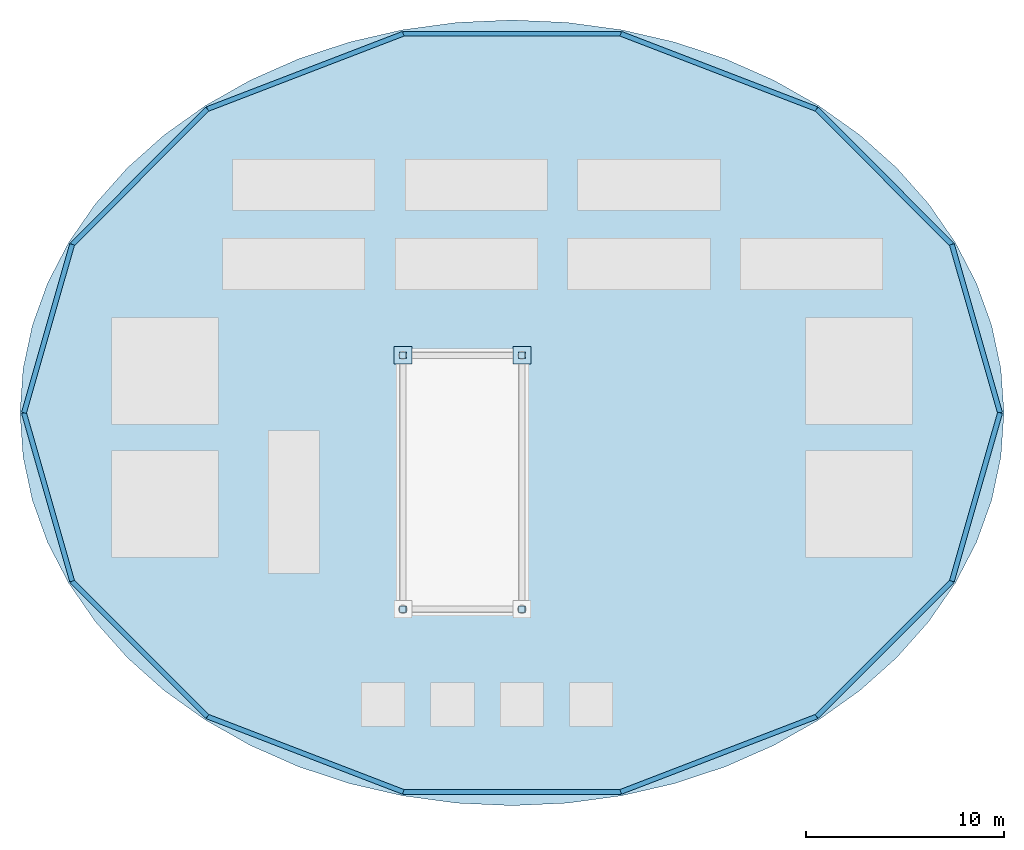
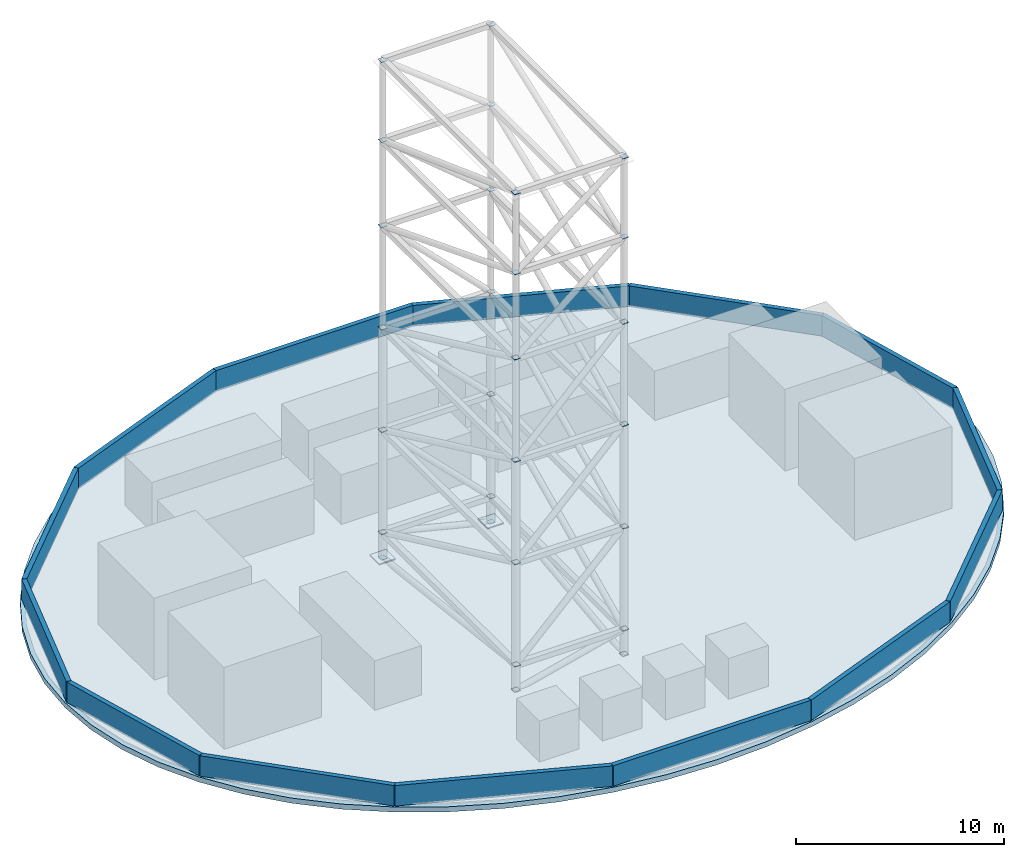
# One storey, part 2 of 4: 30 plates, 14 walls, 1 slab.
"""IFC4 building model written with IfcOpenShell, lengths in metres."""

from ifc_helpers import new_model, si_unit, direction, frame, frame_2d, origin, origin_2d, place, context, subcontext, project, spatial, polyline, rectangle, outline, extrude, material, layer, layer_set, type_object, element, save


model = new_model("IFC4")

# Units and contexts
model_context = context("Model", 3, precision=1e-05, world=origin(), true_north=direction((0.0, 1.0)))
body_context = subcontext(model_context, "Body", "Model", "MODEL_VIEW")
ifc_project = project(units=[si_unit("LENGTHUNIT", "METRE"), si_unit("AREAUNIT", "SQUARE_METRE"), si_unit("VOLUMEUNIT", "CUBIC_METRE"), si_unit("PLANEANGLEUNIT", "RADIAN"), si_unit("MASSUNIT", "GRAM", prefix="KILO")], contexts=[model_context])

# Site, building, storey
site_placement = place(None, origin())
site = spatial("IfcSite", under=ifc_project, at=site_placement, CompositionType="ELEMENT")
building_placement = place(site_placement, origin())
building = spatial("IfcBuilding", under=site, at=building_placement, Name="Kazevale Care Tower and Concert Hall", CompositionType="ELEMENT")
storey_placement = place(building_placement, frame((0.0, 0.0, 312.800048828125)))
storey = spatial("IfcBuildingStorey", under=building, at=storey_placement, Name="Roof Deck", CompositionType="ELEMENT", Elevation=312.800048828125)

# Plates
ifc_material_1 = material(Name="Steel ASTM A572 Gr 50", Category="steel")
ifc_layer_1 = layer(ifc_material_1, 0.06005859375)
ifc_layer_set_1 = layer_set([ifc_layer_1], Name="Steel ASTM A572 Gr 50")
plate_type_1 = type_object("IfcPlateType", Name="Broadcast Mast Base Plate 60mm", PredefinedType="USERDEFINED", material=ifc_layer_set_1)
for number, where, z_axis, x_axis, name in (
    (1, (36.0, 36.39990234375, 0.0), (0.0, 0.0, 1.0), (1.0, 0.0, 0.0), "plate:RF:mast_base:ML3"),
    (2, (30.0, 36.39990234375, 0.0), (0.0, 0.0, 1.0), (1.0, 0.0, 0.0), "plate:RF:mast_base:ML4"),
):
    element("IfcPlate", number, at=place(storey_placement, frame(where, z_axis=z_axis, x_axis=x_axis)), inside=storey, type_object=plate_type_1, Name=name, ObjectType="BASE_PLATE", PredefinedType="USERDEFINED", context=body_context, shape_type="SweptSolid", body=[
        extrude(rectangle(XDim=0.89990234375, YDim=0.89990234375, at=origin_2d()), origin(), (0.0, 0.0, 1.0), 0.06005859375),
    ])

# Slab
ifc_material_2 = material(Name="Concrete C40", Category="concrete")
ifc_layer_2 = layer(ifc_material_2, 0.300048828125)
ifc_layer_set_2 = layer_set([ifc_layer_2], Name="Concrete C40")
slab_type = type_object("IfcSlabType", Name="Crown & Concert Hall Roof Slab 300", PredefinedType="ROOF", material=ifc_layer_set_2)
slab_placement = place(storey_placement, frame((0.0, 0.0, -0.300048828125)))
element("IfcSlab", 3, at=slab_placement, inside=storey, type_object=slab_type, Name="slab:RF:crown_roof", PredefinedType="ROOF", context=body_context, shape_type="SweptSolid", body=[
    extrude(outline(polyline([(60.300048828125, 33.5), (60.14404296875, 35.716796875), (59.67822265625, 37.906005859375), (58.908203125, 40.03955078125), (57.843994140625, 42.0908203125), (56.498779296875, 44.0341796875), (54.889404296875, 45.84521484375), (53.0361328125, 47.500732421875), (50.96240234375, 48.980224609375), (48.6943359375, 50.26513671875), (46.26025390625, 51.339111328125), (43.69091796875, 52.18896484375), (41.0185546875, 52.8037109375), (38.276611328125, 53.175537109375), (35.5, 53.300048828125), (32.723388671875, 53.175537109375), (29.9814453125, 52.8037109375), (27.30908203125, 52.18896484375), (24.73974609375, 51.339111328125), (22.3056640625, 50.26513671875), (20.03759765625, 48.980224609375), (17.9638671875, 47.500732421875), (16.110595703125, 45.84521484375), (14.501220703125, 44.0341796875), (13.156005859375, 42.0908203125), (12.091796875, 40.03955078125), (11.32177734375, 37.906005859375), (10.85595703125, 35.716796875), (10.699951171875, 33.5), (10.85595703125, 31.283203125), (11.32177734375, 29.093994140625), (12.091796875, 26.96044921875), (13.156005859375, 24.9091796875), (14.501220703125, 22.9658203125), (16.110595703125, 21.15478515625), (17.9638671875, 19.499267578125), (20.03759765625, 18.019775390625), (22.3056640625, 16.73486328125), (24.73974609375, 15.660888671875), (27.30908203125, 14.81103515625), (29.9814453125, 14.1962890625), (32.723388671875, 13.824462890625), (35.5, 13.699951171875), (38.276611328125, 13.824462890625), (41.0185546875, 14.1962890625), (43.69091796875, 14.81103515625), (46.26025390625, 15.660888671875), (48.6943359375, 16.73486328125), (50.96240234375, 18.019775390625), (53.0361328125, 19.499267578125), (54.889404296875, 21.15478515625), (56.498779296875, 22.9658203125), (57.843994140625, 24.9091796875), (58.908203125, 26.96044921875), (59.67822265625, 29.093994140625), (60.14404296875, 31.283203125), (60.300048828125, 33.5)])), origin(), (0.0, 0.0, 1.0), 0.300048828125),
])

# Plates
ifc_layer_3 = layer(ifc_material_1, 0.02490234375)
ifc_layer_set_3 = layer_set([ifc_layer_3], Name="Steel ASTM A572 Gr 50")
plate_type_2 = type_object("IfcPlateType", Name="Hollow Section End Cap Plate 25mm", PredefinedType="USERDEFINED", material=ifc_layer_set_3)
for number, where, z_axis, x_axis, name in (
    (4, (30.0, 23.60009765625, 1.487548828125), (0.0, 0.0, 1.0), (1.0, 0.0, 0.0), "beam:RF:mast_ring:T1:F1:cap0"),
    (5, (36.0, 23.60009765625, 1.487548828125), (0.0, 0.0, 1.0), (1.0, 0.0, 0.0), "beam:RF:mast_ring:T1:F1:cap1"),
):
    element("IfcPlate", number, at=place(storey_placement, frame(where, z_axis=z_axis, x_axis=x_axis)), inside=storey, type_object=plate_type_2, Name=name, ObjectType="END_CAP_PLATE", PredefinedType="USERDEFINED", context=body_context, shape_type="SweptSolid", body=[
        extrude(rectangle(XDim=0.320068359375, YDim=0.320068359375, at=origin_2d()), origin(), (0.0, 0.0, 1.0), 0.02490234375),
    ])
plate_1_placement = place(storey_placement, frame((30.0, 23.60009765625, -0.012451171875), z_axis=(0.0, 0.0, 1.0), x_axis=(1.0, 0.0, 0.0)))
element("IfcPlate", 6, at=plate_1_placement, inside=storey, type_object=plate_type_2, Name="brace:RF:mast_diag:T1:F1:cap0", ObjectType="END_CAP_PLATE", PredefinedType="USERDEFINED", context=body_context, shape_type="SweptSolid", body=[
    extrude(rectangle(XDim=0.340087890625, YDim=0.340087890625, at=origin_2d()), origin(), (0.0, 0.0, 1.0), 0.02490234375),
])
plate_2_placement = place(storey_placement, frame((36.0, 36.39990234375, 1.487548828125), z_axis=(0.0, 0.0, 1.0), x_axis=(1.0, 0.0, 0.0)))
element("IfcPlate", 7, at=plate_2_placement, inside=storey, type_object=plate_type_2, Name="beam:RF:mast_ring:T1:F2:cap1", ObjectType="END_CAP_PLATE", PredefinedType="USERDEFINED", context=body_context, shape_type="SweptSolid", body=[
    extrude(rectangle(XDim=0.320068359375, YDim=0.320068359375, at=origin_2d()), origin(), (0.0, 0.0, 1.0), 0.02490234375),
])
plate_3_placement = place(storey_placement, frame((36.0, 23.60009765625, -0.012451171875), z_axis=(0.0, 0.0, 1.0), x_axis=(1.0, 0.0, 0.0)))
element("IfcPlate", 8, at=plate_3_placement, inside=storey, type_object=plate_type_2, Name="brace:RF:mast_diag:T1:F2:cap0", ObjectType="END_CAP_PLATE", PredefinedType="USERDEFINED", context=body_context, shape_type="SweptSolid", body=[
    extrude(rectangle(XDim=0.340087890625, YDim=0.340087890625, at=origin_2d()), origin(), (0.0, 0.0, 1.0), 0.02490234375),
])
plate_4_placement = place(storey_placement, frame((30.0, 36.39990234375, 1.487548828125), z_axis=(0.0, 0.0, 1.0), x_axis=(1.0, 0.0, 0.0)))
element("IfcPlate", 9, at=plate_4_placement, inside=storey, type_object=plate_type_2, Name="beam:RF:mast_ring:T1:F3:cap1", ObjectType="END_CAP_PLATE", PredefinedType="USERDEFINED", context=body_context, shape_type="SweptSolid", body=[
    extrude(rectangle(XDim=0.320068359375, YDim=0.320068359375, at=origin_2d()), origin(), (0.0, 0.0, 1.0), 0.02490234375),
])
for number, where, z_axis, x_axis, name in (
    (10, (36.0, 36.39990234375, -0.012451171875), (0.0, 0.0, 1.0), (1.0, 0.0, 0.0), "brace:RF:mast_diag:T1:F3:cap0"),
    (11, (30.0, 36.39990234375, -0.012451171875), (0.0, 0.0, 1.0), (1.0, 0.0, 0.0), "brace:RF:mast_diag:T1:F4:cap0"),
):
    element("IfcPlate", number, at=place(storey_placement, frame(where, z_axis=z_axis, x_axis=x_axis)), inside=storey, type_object=plate_type_2, Name=name, ObjectType="END_CAP_PLATE", PredefinedType="USERDEFINED", context=body_context, shape_type="SweptSolid", body=[
        extrude(rectangle(XDim=0.340087890625, YDim=0.340087890625, at=origin_2d()), origin(), (0.0, 0.0, 1.0), 0.02490234375),
    ])
for number, where, z_axis, x_axis, name in (
    (12, (30.0, 23.60009765625, 7.487548828125), (0.0, 0.0, 1.0), (1.0, 0.0, 0.0), "beam:RF:mast_ring:T2:F1:cap0"),
    (13, (36.0, 23.60009765625, 7.487548828125), (0.0, 0.0, 1.0), (1.0, 0.0, 0.0), "beam:RF:mast_ring:T2:F1:cap1"),
    (14, (36.0, 36.39990234375, 7.487548828125), (0.0, 0.0, 1.0), (1.0, 0.0, 0.0), "beam:RF:mast_ring:T2:F2:cap1"),
    (15, (30.0, 36.39990234375, 7.487548828125), (0.0, 0.0, 1.0), (1.0, 0.0, 0.0), "beam:RF:mast_ring:T2:F3:cap1"),
    (16, (30.0, 23.60009765625, 13.487548828125), (0.0, 0.0, 1.0), (1.0, 0.0, 0.0), "beam:RF:mast_ring:T3:F1:cap0"),
    (17, (36.0, 23.60009765625, 13.487548828125), (0.0, 0.0, 1.0), (1.0, 0.0, 0.0), "beam:RF:mast_ring:T3:F1:cap1"),
    (18, (36.0, 36.39990234375, 13.487548828125), (0.0, 0.0, 1.0), (1.0, 0.0, 0.0), "beam:RF:mast_ring:T3:F2:cap1"),
    (19, (30.0, 36.39990234375, 13.487548828125), (0.0, 0.0, 1.0), (1.0, 0.0, 0.0), "beam:RF:mast_ring:T3:F3:cap1"),
    (20, (30.0, 23.60009765625, 19.487548828125), (0.0, 0.0, 1.0), (1.0, 0.0, 0.0), "beam:RF:mast_ring:T4:F1:cap0"),
    (21, (36.0, 23.60009765625, 19.487548828125), (0.0, 0.0, 1.0), (1.0, 0.0, 0.0), "beam:RF:mast_ring:T4:F1:cap1"),
    (22, (36.0, 36.39990234375, 19.487548828125), (0.0, 0.0, 1.0), (1.0, 0.0, 0.0), "beam:RF:mast_ring:T4:F2:cap1"),
    (23, (30.0, 36.39990234375, 19.487548828125), (0.0, 0.0, 1.0), (1.0, 0.0, 0.0), "beam:RF:mast_ring:T4:F3:cap1"),
    (24, (30.0, 23.60009765625, 24.487548828125), (0.0, 0.0, 1.0), (1.0, 0.0, 0.0), "beam:RF:mast_ring:T5:F1:cap0"),
    (25, (36.0, 23.60009765625, 24.487548828125), (0.0, 0.0, 1.0), (1.0, 0.0, 0.0), "beam:RF:mast_ring:T5:F1:cap1"),
    (26, (36.0, 36.39990234375, 24.487548828125), (0.0, 0.0, 1.0), (1.0, 0.0, 0.0), "beam:RF:mast_ring:T5:F2:cap1"),
    (27, (30.0, 36.39990234375, 24.487548828125), (0.0, 0.0, 1.0), (1.0, 0.0, 0.0), "beam:RF:mast_ring:T5:F3:cap1"),
):
    element("IfcPlate", number, at=place(storey_placement, frame(where, z_axis=z_axis, x_axis=x_axis)), inside=storey, type_object=plate_type_2, Name=name, ObjectType="END_CAP_PLATE", PredefinedType="USERDEFINED", context=body_context, shape_type="SweptSolid", body=[
        extrude(rectangle(XDim=0.320068359375, YDim=0.320068359375, at=origin_2d()), origin(), (0.0, 0.0, 1.0), 0.02490234375),
    ])
for number, where, z_axis, x_axis, name in (
    (28, (30.0, 23.60009765625, 29.1875), (0.0, 0.0, 1.0), (1.0, 0.0, 0.0), "col:RF:mast_leg:T6:L1:cap1"),
    (29, (36.0, 23.60009765625, 29.1875), (0.0, 0.0, 1.0), (1.0, 0.0, 0.0), "col:RF:mast_leg:T6:L2:cap1"),
    (30, (36.0, 36.39990234375, 29.1875), (0.0, 0.0, 1.0), (1.0, 0.0, 0.0), "col:RF:mast_leg:T6:L3:cap1"),
    (31, (30.0, 36.39990234375, 29.1875), (0.0, 0.0, 1.0), (1.0, 0.0, 0.0), "col:RF:mast_leg:T6:L4:cap1"),
):
    element("IfcPlate", number, at=place(storey_placement, frame(where, z_axis=z_axis, x_axis=x_axis)), inside=storey, type_object=plate_type_2, Name=name, ObjectType="END_CAP_PLATE", PredefinedType="USERDEFINED", context=body_context, shape_type="SweptSolid", body=[
        extrude(rectangle(XDim=0.340087890625, YDim=0.340087890625, at=origin_2d()), origin(), (0.0, 0.0, 1.0), 0.02490234375),
    ])

# Walls
ifc_material_3 = material(Name="Concrete C40 with Honed Limestone Cladding", Category="masonry")
ifc_layer_4 = layer(ifc_material_3, 0.25)
ifc_layer_set_4 = layer_set([ifc_layer_4], Name="Concrete C40 with Honed Limestone Cladding")
wall_type = type_object("IfcWallType", Name="Roof Limestone Parapet Wall 250", PredefinedType="PARAPET", material=ifc_layer_set_4)
wall_1_placement = place(storey_placement, frame((60.10009765625, 33.5, 0.0), z_axis=(0.0, 0.0, 1.0), x_axis=(-0.275016958288, -0.961439375444, 0.0)))
element("IfcWall", 32, at=wall_1_placement, inside=storey, type_object=wall_type, Name="wall:RF:parapet:01", PredefinedType="PARAPET", context=body_context, shape_type="SweptSolid", body=[
    extrude(rectangle(XDim=8.828369140625, YDim=0.25, at=frame_2d((4.4140625, 0.0))), origin(), (0.0, 0.0, 1.0), 1.199951171875),
])
wall_2_placement = place(storey_placement, frame((57.672119140625, 25.011962890625, 0.0), z_axis=(0.0, 0.0, 1.0), x_axis=(-0.706802965074, -0.707410466817, 0.0)))
element("IfcWall", 33, at=wall_2_placement, inside=storey, type_object=wall_type, Name="wall:RF:parapet:02", PredefinedType="PARAPET", context=body_context, shape_type="SweptSolid", body=[
    extrude(rectangle(XDim=9.64501953125, YDim=0.25, at=frame_2d((4.822509765625, 0.0))), origin(), (0.0, 0.0, 1.0), 1.199951171875),
])
wall_3_placement = place(storey_placement, frame((50.85498046875, 18.18896484375, 0.0), z_axis=(0.0, 0.0, 1.0), x_axis=(-0.933378917666, -0.35889245751, 0.0)))
element("IfcWall", 34, at=wall_3_placement, inside=storey, type_object=wall_type, Name="wall:RF:parapet:03", PredefinedType="PARAPET", context=body_context, shape_type="SweptSolid", body=[
    extrude(rectangle(XDim=10.57666015625, YDim=0.25, at=frame_2d((5.288330078125, 0.0))), origin(), (0.0, 0.0, 1.0), 1.199951171875),
])
wall_4_placement = place(storey_placement, frame((40.98291015625, 14.39306640625, 0.0), z_axis=(0.0, 0.0, 1.0), x_axis=(-1.0, 0.0, 0.0)))
element("IfcWall", 35, at=wall_4_placement, inside=storey, type_object=wall_type, Name="wall:RF:parapet:04", PredefinedType="PARAPET", context=body_context, shape_type="SweptSolid", body=[
    extrude(rectangle(XDim=10.9658203125, YDim=0.25, at=frame_2d((5.48291015625, 0.0))), origin(), (0.0, 0.0, 1.0), 1.199951171875),
])
wall_5_placement = place(storey_placement, frame((30.01708984375, 14.39306640625, 0.0), z_axis=(0.0, 0.0, 1.0), x_axis=(-0.933378917666, 0.35889245751, 0.0)))
element("IfcWall", 36, at=wall_5_placement, inside=storey, type_object=wall_type, Name="wall:RF:parapet:05", PredefinedType="PARAPET", context=body_context, shape_type="SweptSolid", body=[
    extrude(rectangle(XDim=10.57666015625, YDim=0.25, at=frame_2d((5.288330078125, 0.0))), origin(), (0.0, 0.0, 1.0), 1.199951171875),
])
wall_6_placement = place(storey_placement, frame((20.14501953125, 18.18896484375, 0.0), z_axis=(0.0, 0.0, 1.0), x_axis=(-0.706802965074, 0.707410466817, 0.0)))
element("IfcWall", 37, at=wall_6_placement, inside=storey, type_object=wall_type, Name="wall:RF:parapet:06", PredefinedType="PARAPET", context=body_context, shape_type="SweptSolid", body=[
    extrude(rectangle(XDim=9.64501953125, YDim=0.25, at=frame_2d((4.822509765625, 0.0))), origin(), (0.0, 0.0, 1.0), 1.199951171875),
])
for number, where, z_axis, x_axis, name in (
    (38, (13.327880859375, 25.011962890625, 0.0), (0.0, 0.0, 1.0), (-0.275016958288, 0.961439375444, 0.0), "wall:RF:parapet:07"),
    (39, (10.89990234375, 33.5, 0.0), (0.0, 0.0, 1.0), (0.275016958288, 0.961439375444, 0.0), "wall:RF:parapet:08"),
):
    element("IfcWall", number, at=place(storey_placement, frame(where, z_axis=z_axis, x_axis=x_axis)), inside=storey, type_object=wall_type, Name=name, PredefinedType="PARAPET", context=body_context, shape_type="SweptSolid", body=[
        extrude(rectangle(XDim=8.828369140625, YDim=0.25, at=frame_2d((4.4140625, 0.0))), origin(), (0.0, 0.0, 1.0), 1.199951171875),
    ])
wall_7_placement = place(storey_placement, frame((13.327880859375, 41.988037109375, 0.0), z_axis=(0.0, 0.0, 1.0), x_axis=(0.706802965074, 0.707410466817, 0.0)))
element("IfcWall", 40, at=wall_7_placement, inside=storey, type_object=wall_type, Name="wall:RF:parapet:09", PredefinedType="PARAPET", context=body_context, shape_type="SweptSolid", body=[
    extrude(rectangle(XDim=9.64501953125, YDim=0.25, at=frame_2d((4.822509765625, 0.0))), origin(), (0.0, 0.0, 1.0), 1.199951171875),
])
wall_8_placement = place(storey_placement, frame((20.14501953125, 48.81103515625, 0.0), z_axis=(0.0, 0.0, 1.0), x_axis=(0.933378917666, 0.35889245751, 0.0)))
element("IfcWall", 41, at=wall_8_placement, inside=storey, type_object=wall_type, Name="wall:RF:parapet:10", PredefinedType="PARAPET", context=body_context, shape_type="SweptSolid", body=[
    extrude(rectangle(XDim=10.57666015625, YDim=0.25, at=frame_2d((5.288330078125, 0.0))), origin(), (0.0, 0.0, 1.0), 1.199951171875),
])
wall_9_placement = place(storey_placement, frame((30.01708984375, 52.60693359375, 0.0), z_axis=(0.0, 0.0, 1.0), x_axis=(1.0, 0.0, 0.0)))
element("IfcWall", 42, at=wall_9_placement, inside=storey, type_object=wall_type, Name="wall:RF:parapet:11", PredefinedType="PARAPET", context=body_context, shape_type="SweptSolid", body=[
    extrude(rectangle(XDim=10.9658203125, YDim=0.25, at=frame_2d((5.48291015625, 0.0))), origin(), (0.0, 0.0, 1.0), 1.199951171875),
])
wall_10_placement = place(storey_placement, frame((40.98291015625, 52.60693359375, 0.0), z_axis=(0.0, 0.0, 1.0), x_axis=(0.933378917666, -0.35889245751, 0.0)))
element("IfcWall", 43, at=wall_10_placement, inside=storey, type_object=wall_type, Name="wall:RF:parapet:12", PredefinedType="PARAPET", context=body_context, shape_type="SweptSolid", body=[
    extrude(rectangle(XDim=10.57666015625, YDim=0.25, at=frame_2d((5.288330078125, 0.0))), origin(), (0.0, 0.0, 1.0), 1.199951171875),
])
wall_11_placement = place(storey_placement, frame((50.85498046875, 48.81103515625, 0.0), z_axis=(0.0, 0.0, 1.0), x_axis=(0.706802965074, -0.707410466817, 0.0)))
element("IfcWall", 44, at=wall_11_placement, inside=storey, type_object=wall_type, Name="wall:RF:parapet:13", PredefinedType="PARAPET", context=body_context, shape_type="SweptSolid", body=[
    extrude(rectangle(XDim=9.64501953125, YDim=0.25, at=frame_2d((4.822509765625, 0.0))), origin(), (0.0, 0.0, 1.0), 1.199951171875),
])
wall_12_placement = place(storey_placement, frame((57.672119140625, 41.988037109375, 0.0), z_axis=(0.0, 0.0, 1.0), x_axis=(0.275016958288, -0.961439375444, 0.0)))
element("IfcWall", 45, at=wall_12_placement, inside=storey, type_object=wall_type, Name="wall:RF:parapet:14", PredefinedType="PARAPET", context=body_context, shape_type="SweptSolid", body=[
    extrude(rectangle(XDim=8.828369140625, YDim=0.25, at=frame_2d((4.4140625, 0.0))), origin(), (0.0, 0.0, 1.0), 1.199951171875),
])

save(model, "model.ifc")
